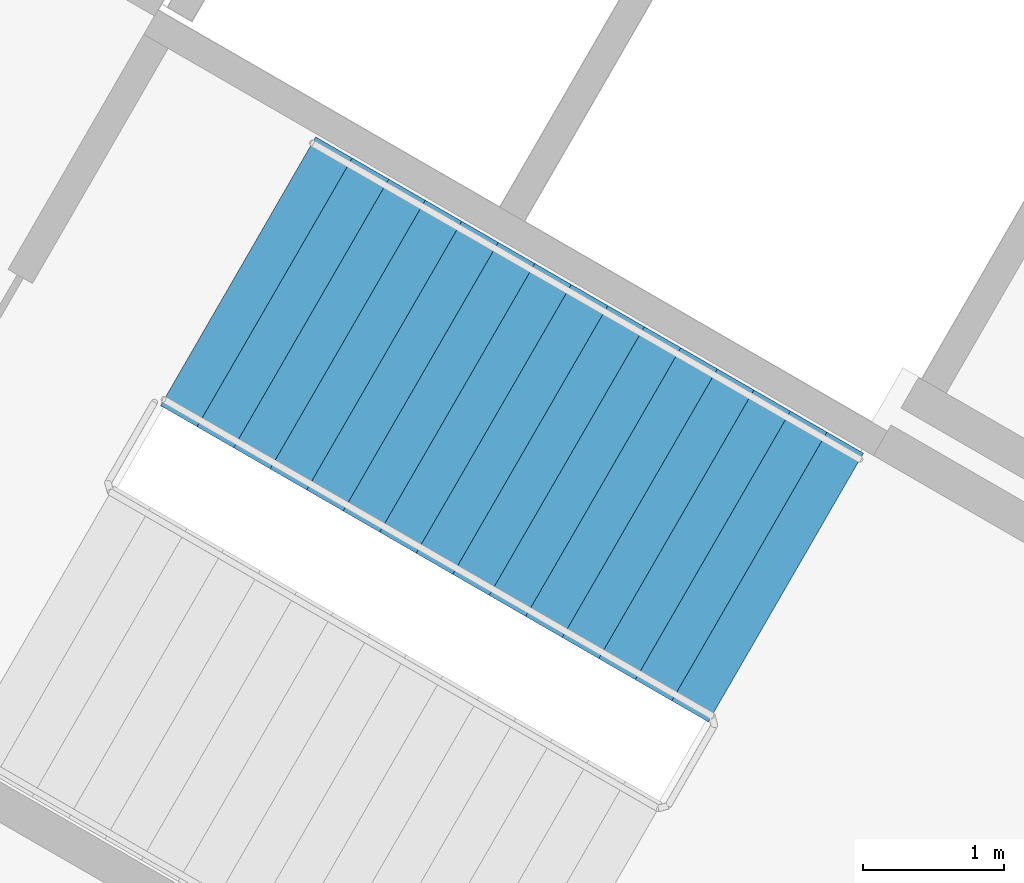
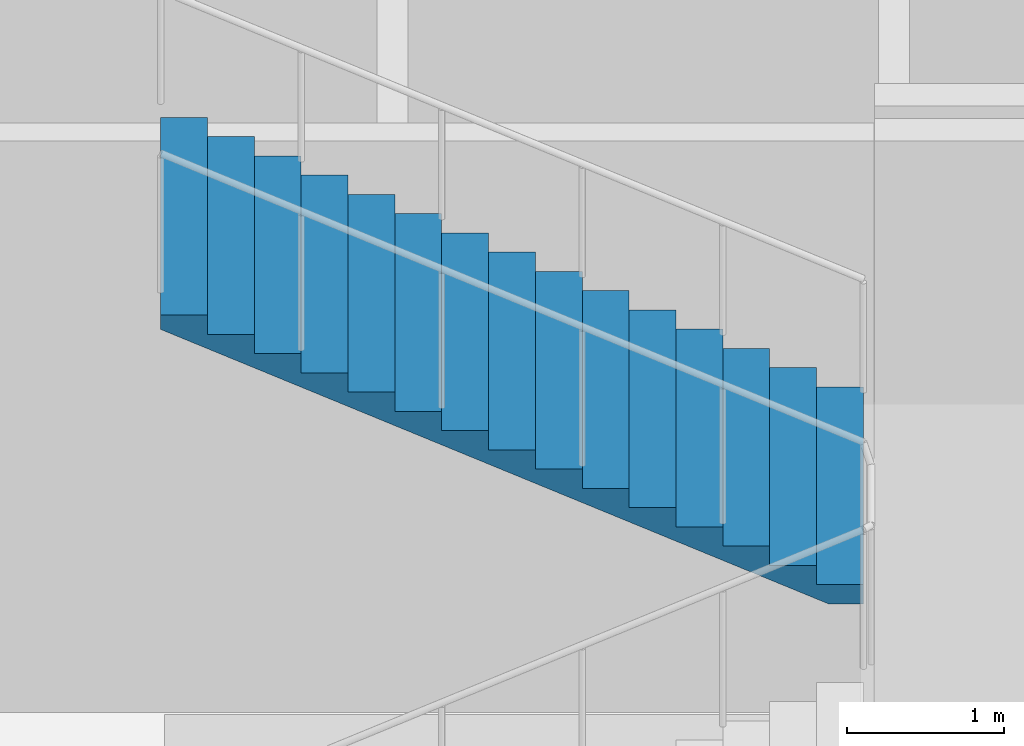
# One storey, part 15 of 18: 1 stair flight, 1 element without a shape of its own.
"""IFC4 building model written with IfcOpenShell, lengths in metres."""

from ifc_helpers import new_model, si_unit, direction, frame, origin, place, context, subcontext, project, spatial, polyline, outline, extrude, material, type_object, element, aggregate, save


model = new_model("IFC4")

# Units and contexts
model_context = context("Model", 3, precision=1e-05, world=origin(), true_north=direction((0.0, 1.0)))
body_context = subcontext(model_context, "Body", "Model", "MODEL_VIEW")
ifc_project = project(units=[si_unit("LENGTHUNIT", "METRE"), si_unit("AREAUNIT", "SQUARE_METRE"), si_unit("VOLUMEUNIT", "CUBIC_METRE"), si_unit("PLANEANGLEUNIT", "RADIAN"), si_unit("MASSUNIT", "GRAM", prefix="KILO")], contexts=[model_context])

# Site, building, storey
site_placement = place(None, origin())
site = spatial("IfcSite", under=ifc_project, at=site_placement, CompositionType="ELEMENT")
building_placement = place(site_placement, origin())
building = spatial("IfcBuilding", under=site, at=building_placement, Name="Tamra Quay Hotel Tower", CompositionType="ELEMENT")
storey_placement = place(building_placement, frame((0.0, 0.0, 257.39990234375)))
storey = spatial("IfcBuildingStorey", under=building, at=storey_placement, Name="L65", CompositionType="ELEMENT", Elevation=257.39990234375)

# Stair, stair flight
ifc_material_1 = material(Name="Exit stair 2200 32 risers 150.0 going 299")
stair_type = type_object("IfcStairType", Name="Exit stair 2200 32 risers 150.0 going 299", PredefinedType="HALF_TURN_STAIR", material=ifc_material_1)
stair_placement = place(storey_placement, origin())
stair = element("IfcStair", 1, at=stair_placement, inside=storey, type_object=stair_type, Name="L65 Exit stair ST1", PredefinedType="HALF_TURN_STAIR")
ifc_material_2 = material(Name="Exit stair flight 2200 16 risers 150.0")
stair_flight_type = type_object("IfcStairFlightType", Name="Exit stair flight 2200 16 risers 150.0", PredefinedType="STRAIGHT", material=ifc_material_2)
stair_flight_placement = place(storey_placement, frame((10.072998046875, 11.43701171875, 2.400146484375), z_axis=(0.0, 0.0, 1.0), x_axis=(-0.866025403784, 0.5, 0.0)))
stair_flight = element("IfcStairFlight", 2, at=stair_flight_placement, type_object=stair_flight_type, Name="ST1 flight 2", NumberOfRisers=16, NumberOfTreads=15, PredefinedType="STRAIGHT", RiserHeight=0.15, TreadLength=0.299, context=body_context, shape_type="SweptSolid", body=[
    extrude(outline(polyline([(0.0, 0.0), (0.0, 0.14990234375), (0.299072265625, 0.14990234375), (0.299072265625, 0.300048828125), (0.597900390625, 0.300048828125), (0.597900390625, 0.449951171875), (0.89697265625, 0.449951171875), (0.89697265625, 0.60009765625), (1.196044921875, 0.60009765625), (1.196044921875, 0.75), (1.4951171875, 0.75), (1.4951171875, 0.89990234375), (1.7939453125, 0.89990234375), (1.7939453125, 1.050048828125), (2.093017578125, 1.050048828125), (2.093017578125, 1.199951171875), (2.39208984375, 1.199951171875), (2.39208984375, 1.35009765625), (2.69091796875, 1.35009765625), (2.69091796875, 1.5), (2.989990234375, 1.5), (2.989990234375, 1.64990234375), (3.2890625, 1.64990234375), (3.2890625, 1.800048828125), (3.587890625, 1.800048828125), (3.587890625, 1.949951171875), (3.886962890625, 1.949951171875), (3.886962890625, 2.10009765625), (4.18603515625, 2.10009765625), (4.18603515625, 2.25), (4.485107421875, 2.25), (4.485107421875, 2.39990234375), (4.485107421875, 2.137939453125), (0.22314453125, 0.0), (0.0, 0.0)])), frame((0.0, 1.10009765625, 0.0), z_axis=(0.0, -1.0, 0.0), x_axis=(1.0, 0.0, 0.0)), (0.0, 0.0, 1.0), 2.199951171875),
])
aggregate(stair, [stair_flight])

save(model, "model.ifc")
